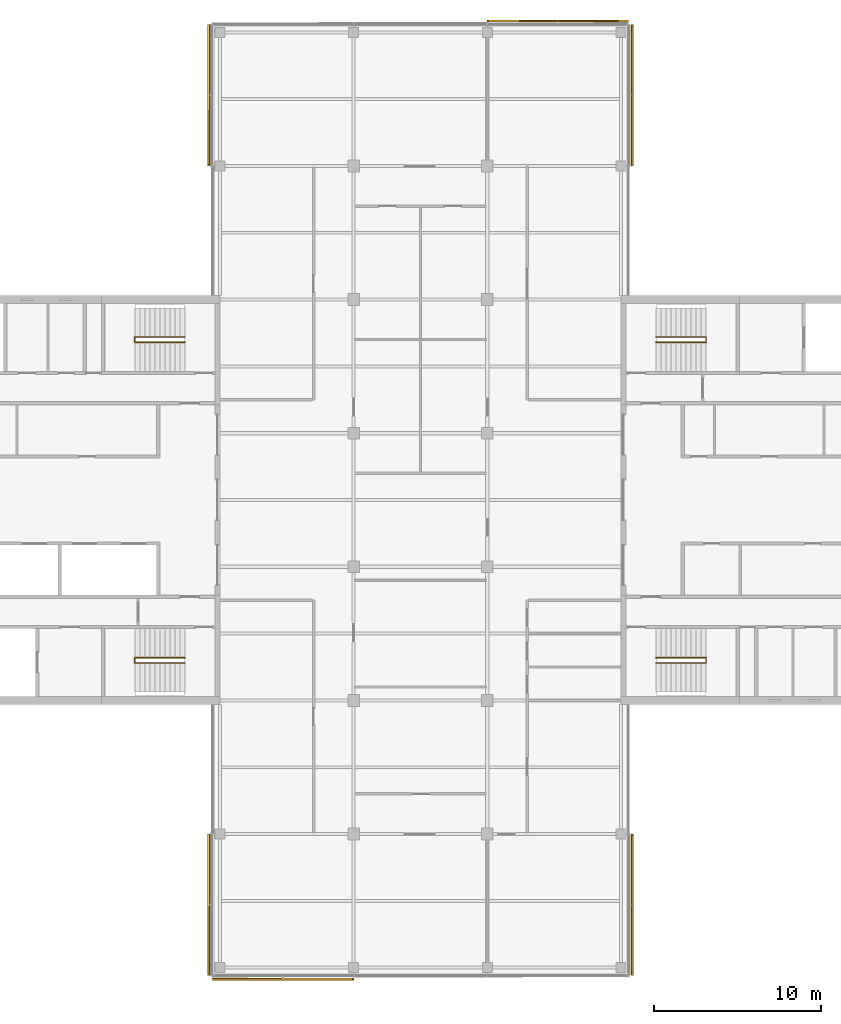
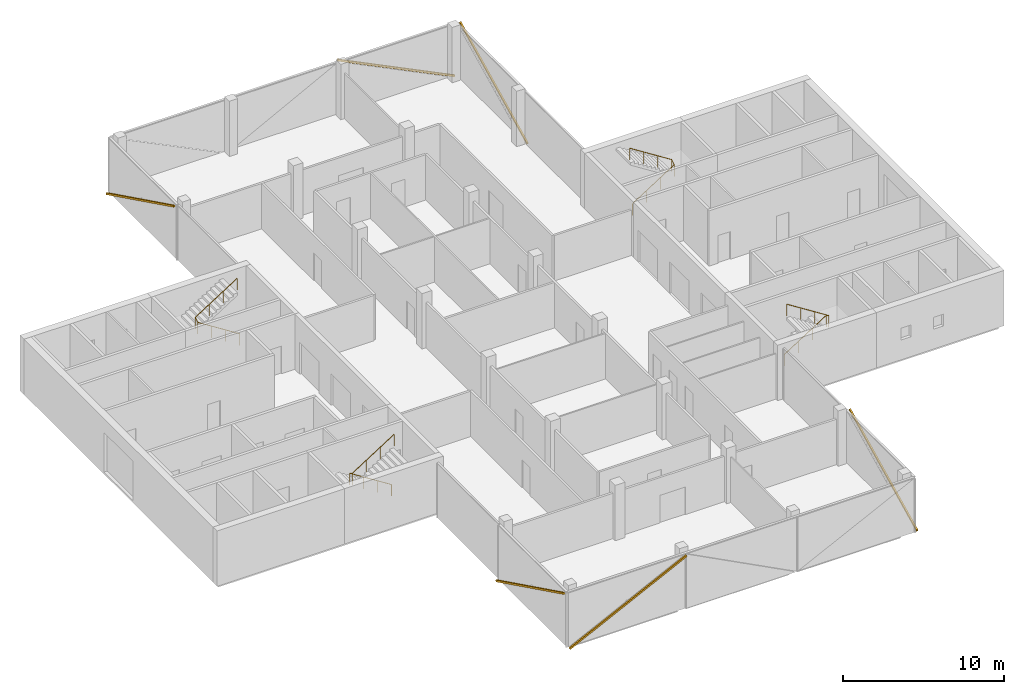
# One storey, part 15 of 15: 6 shading devices, 4 railings, 6 elements without a shape of their own.
"""IFC4 building model written with IfcOpenShell, lengths in metres."""

from ifc_helpers import new_model, si_unit, direction, frame, origin, origin_2d, place, context, subcontext, project, spatial, rectangle, circle, extrude, material, material_profile, profile_set, type_object, element, aggregate, save


model = new_model("IFC4")

# Units and contexts
model_context = context("Model", 3, precision=1e-05, world=origin(), true_north=direction((0.0, 1.0)))
body_context = subcontext(model_context, "Body", "Model", "MODEL_VIEW")
ifc_project = project(units=[si_unit("LENGTHUNIT", "METRE"), si_unit("AREAUNIT", "SQUARE_METRE"), si_unit("VOLUMEUNIT", "CUBIC_METRE"), si_unit("PLANEANGLEUNIT", "RADIAN"), si_unit("MASSUNIT", "GRAM", prefix="KILO")], contexts=[model_context])

# Site, building, storey
site_placement = place(None, origin())
site = spatial("IfcSite", under=ifc_project, at=site_placement, CompositionType="ELEMENT")
building_placement = place(site_placement, origin())
building = spatial("IfcBuilding", under=site, at=building_placement, Name="Crosswind Convention Tower", CompositionType="ELEMENT")
storey_placement = place(building_placement, frame((0.0, 0.0, 261.89990234375)))
storey = spatial("IfcBuildingStorey", under=building, at=storey_placement, Name="L56", CompositionType="ELEMENT", Elevation=261.89990234375)

# Railings
ifc_material_1 = material(Name="Stainless steel", Category="steel")
railing_type = type_object("IfcRailingType", Name="Stair handrail 900", PredefinedType="HANDRAIL", material=ifc_material_1)
railing_1_placement = place(storey_placement, frame((139.10009765625, 109.43994140625, 0.19091796875)))
element("IfcRailing", 1, at=railing_1_placement, inside=storey, type_object=railing_type, Name="Stair ST1 handrail L56", PredefinedType="HANDRAIL", context=body_context, shape_type="SweptSolid", body=[
    extrude(circle(Radius=0.02392578125, at=origin_2d()), frame((0.0, 0.0, 0.8759765625), z_axis=(0.843650179428, 0.0, 0.536893261973), x_axis=(0.0, 1.0, 0.0)), (0.0, 0.0, 1.0), 3.555908203125),
    extrude(circle(Radius=0.02392578125, at=origin_2d()), frame((3.0, 0.0, 2.78515625), z_axis=(0.0, 0.858819504967, 0.512278301208), x_axis=(-1.0, 0.0, 0.0)), (0.0, 0.0, 1.0), 0.372802734375),
    extrude(circle(Radius=0.02392578125, at=origin_2d()), frame((3.0, 0.320068359375, 2.97607421875), z_axis=(-0.843650179428, 0.0, 0.536893261973), x_axis=(0.0, -1.0, 0.0)), (0.0, 0.0, 1.0), 3.555908203125),
    extrude(circle(Radius=0.02099609375, at=origin_2d()), origin(), (0.0, 0.0, 1.0), 0.851806640625),
    extrude(circle(Radius=0.02099609375, at=origin_2d()), frame((1.0, 0.0, 0.636474609375)), (0.0, 0.0, 1.0), 0.851806640625),
    extrude(circle(Radius=0.02099609375, at=origin_2d()), frame((2.0, 0.0, 1.272705078125)), (0.0, 0.0, 1.0), 0.851806640625),
    extrude(circle(Radius=0.02099609375, at=origin_2d()), frame((3.0, 0.0, 1.9091796875)), (0.0, 0.0, 1.0), 0.851806640625),
    extrude(circle(Radius=0.02099609375, at=origin_2d()), frame((3.0, 0.320068359375, 2.10009765625)), (0.0, 0.0, 1.0), 0.851806640625),
    extrude(circle(Radius=0.02099609375, at=origin_2d()), frame((2.0, 0.320068359375, 2.736572265625)), (0.0, 0.0, 1.0), 0.851806640625),
    extrude(circle(Radius=0.02099609375, at=origin_2d()), frame((1.0, 0.320068359375, 3.372802734375)), (0.0, 0.0, 1.0), 0.851806640625),
    extrude(circle(Radius=0.02099609375, at=origin_2d()), frame((0.0, 0.320068359375, 4.00927734375)), (0.0, 0.0, 1.0), 0.851806640625),
])
railing_2_placement = place(storey_placement, frame((139.10009765625, 90.56005859375, 0.19091796875)))
element("IfcRailing", 2, at=railing_2_placement, inside=storey, type_object=railing_type, Name="Stair ST2 handrail L56", PredefinedType="HANDRAIL", context=body_context, shape_type="SweptSolid", body=[
    extrude(circle(Radius=0.02392578125, at=origin_2d()), frame((0.0, 0.0, 0.8759765625), z_axis=(0.843650179428, 0.0, 0.536893261973), x_axis=(0.0, 1.0, 0.0)), (0.0, 0.0, 1.0), 3.555908203125),
    extrude(circle(Radius=0.02392578125, at=origin_2d()), frame((3.0, 0.0, 2.78515625), z_axis=(0.0, -0.858819504967, 0.512278301208), x_axis=(1.0, 0.0, 0.0)), (0.0, 0.0, 1.0), 0.372802734375),
    extrude(circle(Radius=0.02392578125, at=origin_2d()), frame((3.0, -0.320068359375, 2.97607421875), z_axis=(-0.843650179428, 0.0, 0.536893261973), x_axis=(0.0, -1.0, 0.0)), (0.0, 0.0, 1.0), 3.555908203125),
    extrude(circle(Radius=0.02099609375, at=origin_2d()), origin(), (0.0, 0.0, 1.0), 0.851806640625),
    extrude(circle(Radius=0.02099609375, at=origin_2d()), frame((1.0, 0.0, 0.636474609375)), (0.0, 0.0, 1.0), 0.851806640625),
    extrude(circle(Radius=0.02099609375, at=origin_2d()), frame((2.0, 0.0, 1.272705078125)), (0.0, 0.0, 1.0), 0.851806640625),
    extrude(circle(Radius=0.02099609375, at=origin_2d()), frame((3.0, 0.0, 1.9091796875)), (0.0, 0.0, 1.0), 0.851806640625),
    extrude(circle(Radius=0.02099609375, at=origin_2d()), frame((3.0, -0.320068359375, 2.10009765625)), (0.0, 0.0, 1.0), 0.851806640625),
    extrude(circle(Radius=0.02099609375, at=origin_2d()), frame((2.0, -0.320068359375, 2.736572265625)), (0.0, 0.0, 1.0), 0.851806640625),
    extrude(circle(Radius=0.02099609375, at=origin_2d()), frame((1.0, -0.320068359375, 3.372802734375)), (0.0, 0.0, 1.0), 0.851806640625),
    extrude(circle(Radius=0.02099609375, at=origin_2d()), frame((0.0, -0.320068359375, 4.00927734375)), (0.0, 0.0, 1.0), 0.851806640625),
])
railing_3_placement = place(storey_placement, frame((110.89990234375, 90.56005859375, 0.19091796875)))
element("IfcRailing", 3, at=railing_3_placement, inside=storey, type_object=railing_type, Name="Stair ST3 handrail L56", PredefinedType="HANDRAIL", context=body_context, shape_type="SweptSolid", body=[
    extrude(circle(Radius=0.02392578125, at=origin_2d()), frame((0.0, 0.0, 0.8759765625), z_axis=(-0.843650179428, 0.0, 0.536893261973), x_axis=(0.0, -1.0, 0.0)), (0.0, 0.0, 1.0), 3.555908203125),
    extrude(circle(Radius=0.02392578125, at=origin_2d()), frame((-3.0, 0.0, 2.78515625), z_axis=(0.0, -0.858819504967, 0.512278301208), x_axis=(1.0, 0.0, 0.0)), (0.0, 0.0, 1.0), 0.372802734375),
    extrude(circle(Radius=0.02392578125, at=origin_2d()), frame((-3.0, -0.320068359375, 2.97607421875), z_axis=(0.843650179428, 0.0, 0.536893261973), x_axis=(0.0, 1.0, 0.0)), (0.0, 0.0, 1.0), 3.555908203125),
    extrude(circle(Radius=0.02099609375, at=origin_2d()), origin(), (0.0, 0.0, 1.0), 0.851806640625),
    extrude(circle(Radius=0.02099609375, at=origin_2d()), frame((-1.0, 0.0, 0.636474609375)), (0.0, 0.0, 1.0), 0.851806640625),
    extrude(circle(Radius=0.02099609375, at=origin_2d()), frame((-2.0, 0.0, 1.272705078125)), (0.0, 0.0, 1.0), 0.851806640625),
    extrude(circle(Radius=0.02099609375, at=origin_2d()), frame((-3.0, 0.0, 1.9091796875)), (0.0, 0.0, 1.0), 0.851806640625),
    extrude(circle(Radius=0.02099609375, at=origin_2d()), frame((-3.0, -0.320068359375, 2.10009765625)), (0.0, 0.0, 1.0), 0.851806640625),
    extrude(circle(Radius=0.02099609375, at=origin_2d()), frame((-2.0, -0.320068359375, 2.736572265625)), (0.0, 0.0, 1.0), 0.851806640625),
    extrude(circle(Radius=0.02099609375, at=origin_2d()), frame((-1.0, -0.320068359375, 3.372802734375)), (0.0, 0.0, 1.0), 0.851806640625),
    extrude(circle(Radius=0.02099609375, at=origin_2d()), frame((0.0, -0.320068359375, 4.00927734375)), (0.0, 0.0, 1.0), 0.851806640625),
])
railing_4_placement = place(storey_placement, frame((110.89990234375, 109.43994140625, 0.19091796875)))
element("IfcRailing", 4, at=railing_4_placement, inside=storey, type_object=railing_type, Name="Stair ST4 handrail L56", PredefinedType="HANDRAIL", context=body_context, shape_type="SweptSolid", body=[
    extrude(circle(Radius=0.02392578125, at=origin_2d()), frame((0.0, 0.0, 0.8759765625), z_axis=(-0.843650179428, 0.0, 0.536893261973), x_axis=(0.0, -1.0, 0.0)), (0.0, 0.0, 1.0), 3.555908203125),
    extrude(circle(Radius=0.02392578125, at=origin_2d()), frame((-3.0, 0.0, 2.78515625), z_axis=(0.0, 0.858819504967, 0.512278301208), x_axis=(-1.0, 0.0, 0.0)), (0.0, 0.0, 1.0), 0.372802734375),
    extrude(circle(Radius=0.02392578125, at=origin_2d()), frame((-3.0, 0.320068359375, 2.97607421875), z_axis=(0.843650179428, 0.0, 0.536893261973), x_axis=(0.0, 1.0, 0.0)), (0.0, 0.0, 1.0), 3.555908203125),
    extrude(circle(Radius=0.02099609375, at=origin_2d()), origin(), (0.0, 0.0, 1.0), 0.851806640625),
    extrude(circle(Radius=0.02099609375, at=origin_2d()), frame((-1.0, 0.0, 0.636474609375)), (0.0, 0.0, 1.0), 0.851806640625),
    extrude(circle(Radius=0.02099609375, at=origin_2d()), frame((-2.0, 0.0, 1.272705078125)), (0.0, 0.0, 1.0), 0.851806640625),
    extrude(circle(Radius=0.02099609375, at=origin_2d()), frame((-3.0, 0.0, 1.9091796875)), (0.0, 0.0, 1.0), 0.851806640625),
    extrude(circle(Radius=0.02099609375, at=origin_2d()), frame((-3.0, 0.320068359375, 2.10009765625)), (0.0, 0.0, 1.0), 0.851806640625),
    extrude(circle(Radius=0.02099609375, at=origin_2d()), frame((-2.0, 0.320068359375, 2.736572265625)), (0.0, 0.0, 1.0), 0.851806640625),
    extrude(circle(Radius=0.02099609375, at=origin_2d()), frame((-1.0, 0.320068359375, 3.372802734375)), (0.0, 0.0, 1.0), 0.851806640625),
    extrude(circle(Radius=0.02099609375, at=origin_2d()), frame((0.0, 0.320068359375, 4.00927734375)), (0.0, 0.0, 1.0), 0.851806640625),
])

# Curtain wall, shading device
ifc_material_2 = material(Name="Aluminium unitised curtain wall", Category="aluminium")
curtain_wall_type = type_object("IfcCurtainWallType", Name="OFFICE UNITISED WALL 220", PredefinedType="USERDEFINED", material=ifc_material_2)
curtain_wall_1_placement = place(storey_placement, origin())
curtain_wall_1 = element("IfcCurtainWall", 5, at=curtain_wall_1_placement, inside=storey, type_object=curtain_wall_type, Name="CW3 L56 N-E 1", ObjectType="UNITISED", PredefinedType="USERDEFINED")
ifc_material_3 = material(Name="Extruded terracotta", Category="masonry")
ifc_material_profile = material_profile(ifc_material_3, rectangle(XDim=0.110107421875, YDim=0.1298828125, at=origin_2d()), Name="TC 110X130")
ifc_profile_set = profile_set([ifc_material_profile], Name="Extruded terracotta")
shading_device_type = type_object("IfcShadingDeviceType", Name="TERRACOTTA BAGUETTE 130X110", PredefinedType="USERDEFINED", material=ifc_profile_set)
shading_device_1_placement = place(storey_placement, frame((137.680908203125, 120.034912109375, -0.2998046875), z_axis=(0.0, 0.897198049762, 0.441628417907), x_axis=(-1.0, 0.0, 0.0)))
shading_device_1 = element("IfcShadingDevice", 6, at=shading_device_1_placement, type_object=shading_device_type, Name="CW3 terracotta baguette 1", ObjectType="BAGUETTE", PredefinedType="USERDEFINED", context=body_context, shape_type="SweptSolid", body=[
    extrude(rectangle(XDim=0.110107421875, YDim=0.1298828125, at=origin_2d()), origin(), (0.0, 0.0, 1.0), 9.3515625),
])
aggregate(curtain_wall_1, [shading_device_1])

curtain_wall_2_placement = place(storey_placement, origin())
curtain_wall_2 = element("IfcCurtainWall", 7, at=curtain_wall_2_placement, inside=storey, type_object=curtain_wall_type, Name="CW3 L56 N-TIP 1", ObjectType="UNITISED", PredefinedType="USERDEFINED")
shading_device_2_placement = place(storey_placement, frame((137.425048828125, 128.680908203125, -0.2998046875), z_axis=(-0.897198049762, 0.0, 0.441628417907), x_axis=(0.0, -1.0, 0.0)))
shading_device_2 = element("IfcShadingDevice", 8, at=shading_device_2_placement, type_object=shading_device_type, Name="CW3 terracotta baguette 1", ObjectType="BAGUETTE", PredefinedType="USERDEFINED", context=body_context, shape_type="SweptSolid", body=[
    extrude(rectangle(XDim=0.110107421875, YDim=0.1298828125, at=origin_2d()), origin(), (0.0, 0.0, 1.0), 9.3515625),
])
aggregate(curtain_wall_2, [shading_device_2])

curtain_wall_3_placement = place(storey_placement, origin())
curtain_wall_3 = element("IfcCurtainWall", 9, at=curtain_wall_3_placement, inside=storey, type_object=curtain_wall_type, Name="CW3 L56 N-W 1", ObjectType="UNITISED", PredefinedType="USERDEFINED")
shading_device_3_placement = place(storey_placement, frame((112.319091796875, 128.425048828125, -0.2998046875), z_axis=(0.0, -0.897198049762, 0.441628417907), x_axis=(1.0, 0.0, 0.0)))
shading_device_3 = element("IfcShadingDevice", 10, at=shading_device_3_placement, type_object=shading_device_type, Name="CW3 terracotta baguette 1", ObjectType="BAGUETTE", PredefinedType="USERDEFINED", context=body_context, shape_type="SweptSolid", body=[
    extrude(rectangle(XDim=0.110107421875, YDim=0.1298828125, at=origin_2d()), origin(), (0.0, 0.0, 1.0), 9.3515625),
])
aggregate(curtain_wall_3, [shading_device_3])

curtain_wall_4_placement = place(storey_placement, origin())
curtain_wall_4 = element("IfcCurtainWall", 11, at=curtain_wall_4_placement, inside=storey, type_object=curtain_wall_type, Name="CW3 L56 S-W 1", ObjectType="UNITISED", PredefinedType="USERDEFINED")
shading_device_4_placement = place(storey_placement, frame((112.319091796875, 79.965087890625, -0.2998046875), z_axis=(0.0, -0.897198049762, 0.441628417907), x_axis=(1.0, 0.0, 0.0)))
shading_device_4 = element("IfcShadingDevice", 12, at=shading_device_4_placement, type_object=shading_device_type, Name="CW3 terracotta baguette 1", ObjectType="BAGUETTE", PredefinedType="USERDEFINED", context=body_context, shape_type="SweptSolid", body=[
    extrude(rectangle(XDim=0.110107421875, YDim=0.1298828125, at=origin_2d()), origin(), (0.0, 0.0, 1.0), 9.3515625),
])
aggregate(curtain_wall_4, [shading_device_4])

curtain_wall_5_placement = place(storey_placement, origin())
curtain_wall_5 = element("IfcCurtainWall", 13, at=curtain_wall_5_placement, inside=storey, type_object=curtain_wall_type, Name="CW3 L56 S-TIP 1", ObjectType="UNITISED", PredefinedType="USERDEFINED")
shading_device_5_placement = place(storey_placement, frame((112.574951171875, 71.319091796875, -0.2998046875), z_axis=(0.897198049762, 0.0, 0.441628417907), x_axis=(0.0, 1.0, 0.0)))
shading_device_5 = element("IfcShadingDevice", 14, at=shading_device_5_placement, type_object=shading_device_type, Name="CW3 terracotta baguette 1", ObjectType="BAGUETTE", PredefinedType="USERDEFINED", context=body_context, shape_type="SweptSolid", body=[
    extrude(rectangle(XDim=0.110107421875, YDim=0.1298828125, at=origin_2d()), origin(), (0.0, 0.0, 1.0), 9.3515625),
])
aggregate(curtain_wall_5, [shading_device_5])

curtain_wall_6_placement = place(storey_placement, origin())
curtain_wall_6 = element("IfcCurtainWall", 15, at=curtain_wall_6_placement, inside=storey, type_object=curtain_wall_type, Name="CW3 L56 S-E 1", ObjectType="UNITISED", PredefinedType="USERDEFINED")
shading_device_6_placement = place(storey_placement, frame((137.680908203125, 71.574951171875, -0.2998046875), z_axis=(0.0, 0.897198049762, 0.441628417907), x_axis=(-1.0, 0.0, 0.0)))
shading_device_6 = element("IfcShadingDevice", 16, at=shading_device_6_placement, type_object=shading_device_type, Name="CW3 terracotta baguette 1", ObjectType="BAGUETTE", PredefinedType="USERDEFINED", context=body_context, shape_type="SweptSolid", body=[
    extrude(rectangle(XDim=0.110107421875, YDim=0.1298828125, at=origin_2d()), origin(), (0.0, 0.0, 1.0), 9.3515625),
])
aggregate(curtain_wall_6, [shading_device_6])

save(model, "model.ifc")
